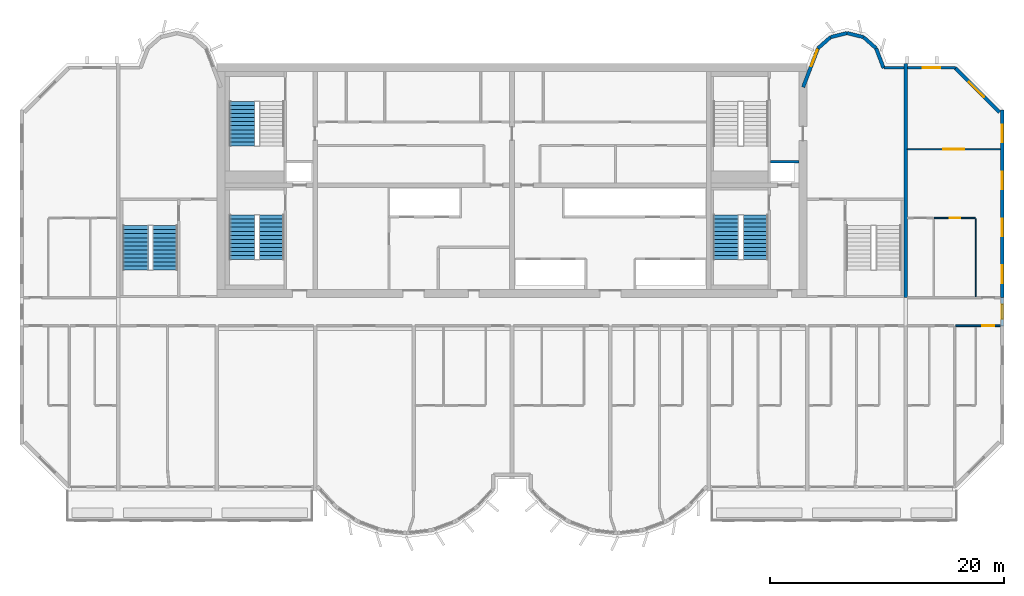
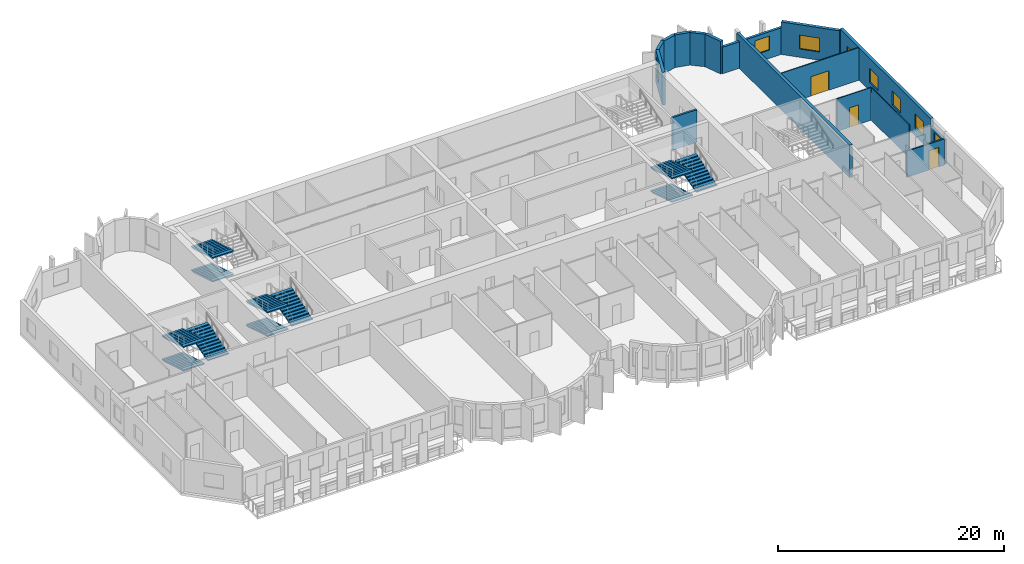
# One storey, part 9 of 13: 17 walls, 11 stair flights, 8 windows, 3 doors, 11 openings, 4 elements without a shape of their own.
"""IFC4 building model written with IfcOpenShell, lengths in metres."""

from ifc_helpers import new_model, si_unit, direction, frame, frame_2d, origin, place, context, subcontext, project, spatial, polyline, rectangle, outline, extrude, source, transform, mapped, material, layer, layer_set, type_object, element, fill, aggregate, save


model = new_model("IFC4")

# Units and contexts
model_context = context("Model", 3, precision=1e-05, world=origin(), true_north=direction((0.0, 1.0)))
body_context = subcontext(model_context, "Body", "Model", "MODEL_VIEW")
ifc_project = project(units=[si_unit("LENGTHUNIT", "METRE"), si_unit("AREAUNIT", "SQUARE_METRE"), si_unit("VOLUMEUNIT", "CUBIC_METRE"), si_unit("PLANEANGLEUNIT", "RADIAN"), si_unit("MASSUNIT", "GRAM", prefix="KILO")], contexts=[model_context])

# Site, building, storey
site_placement = place(None, origin())
site = spatial("IfcSite", under=ifc_project, at=site_placement, CompositionType="ELEMENT")
building_placement = place(site_placement, origin())
building = spatial("IfcBuilding", under=site, at=building_placement, Name="Vanashikhar Sky Hotel", CompositionType="ELEMENT")
storey_placement = place(building_placement, frame((0.0, 0.0, 197.199951171875)))
storey = spatial("IfcBuildingStorey", under=building, at=storey_placement, Name="L48", CompositionType="ELEMENT", Elevation=197.199951171875)

# Wall, openings, windows
ifc_material_1 = material(Name="Concrete M60", Category="concrete")
ifc_layer_1 = layer(ifc_material_1, 0.300048828125)
ifc_layer_set_1 = layer_set([ifc_layer_1], Name="RC shear wall 300 Concrete M60")
wall_type_1 = type_object("IfcWallType", Name="RC shear wall 300 Concrete M60", PredefinedType="SHEAR", material=ifc_layer_set_1)
shared_shape_1 = source(origin(), body_context, "Body", "SweptSolid", [
    extrude(rectangle(XDim=16.0, YDim=0.300048828125, at=frame_2d((8.0, 0.0))), origin(), (0.0, 0.0, 1.0), 3.52001953125),
])
wall_1_placement = place(storey_placement, frame((92.25, 22.0, 0.0), z_axis=(0.0, 0.0, 1.0), x_axis=(0.0, 1.0, 0.0)))
wall_1 = element("IfcWall", 1, at=wall_1_placement, inside=storey, type_object=wall_type_1, Name="CW-L48-XW12-2", PredefinedType="SHEAR", context=body_context, shape_type="MappedRepresentation", body=[
    mapped(shared_shape_1, transform((0.0, 0.0, 0.0), scale=1.0)),
])
shared_shape_2 = source(origin(), body_context, "Body", "SweptSolid", [
    extrude(rectangle(XDim=1.5, YDim=1.5, at=frame_2d((0.75, 0.75))), frame((0.0, 0.16015625, 0.0), z_axis=(0.0, -1.0, 0.0), x_axis=(1.0, 0.0, 0.0)), (0.0, 0.0, 1.0), 0.320068359375),
])
opening_1_placement = place(wall_1_placement, frame((1.25, 0.0, 0.89990234375)))
opening_1 = element("IfcOpeningElement", 2, at=opening_1_placement, cuts=wall_1, Name="Opening WN-1", PredefinedType="OPENING", context=body_context, shape_type="MappedRepresentation", body=[
    mapped(shared_shape_2, transform((0.0, 0.0, 0.0), scale=1.0)),
])
opening_2_placement = place(wall_1_placement, frame((5.25, 0.0, 0.89990234375)))
opening_2 = element("IfcOpeningElement", 3, at=opening_2_placement, cuts=wall_1, Name="Opening WN-1", PredefinedType="OPENING", context=body_context, shape_type="MappedRepresentation", body=[
    mapped(shared_shape_2, transform((0.0, 0.0, 0.0), scale=1.0)),
])
opening_3_placement = place(wall_1_placement, frame((9.25, 0.0, 0.89990234375)))
opening_3 = element("IfcOpeningElement", 4, at=opening_3_placement, cuts=wall_1, Name="Opening WN-1", PredefinedType="OPENING", context=body_context, shape_type="MappedRepresentation", body=[
    mapped(shared_shape_2, transform((0.0, 0.0, 0.0), scale=1.0)),
])
opening_4_placement = place(wall_1_placement, frame((13.25, 0.0, 0.89990234375)))
opening_4 = element("IfcOpeningElement", 5, at=opening_4_placement, cuts=wall_1, Name="Opening WN-1", PredefinedType="OPENING", context=body_context, shape_type="MappedRepresentation", body=[
    mapped(shared_shape_2, transform((0.0, 0.0, 0.0), scale=1.0)),
])
ifc_material_2 = material(Name="Glass", Category="glass")
window_type_1 = type_object("IfcWindowType", Name="Window 1500 x 1500", PartitioningType="SINGLE_PANEL", PredefinedType="WINDOW", material=ifc_material_2)
shared_shape_3 = source(origin(), body_context, "Body", "SweptSolid", [
    extrude(rectangle(XDim=1.5, YDim=1.5, at=frame_2d((0.75, 0.75))), frame((0.0, 0.030029296875, 0.0), z_axis=(0.0, -1.0, 0.0), x_axis=(1.0, 0.0, 0.0)), (0.0, 0.0, 1.0), 0.06005859375),
])
window_1_placement = place(opening_1_placement, origin())
window_1 = element("IfcWindow", 6, at=window_1_placement, inside=storey, type_object=window_type_1, Name="Window WN-1", OverallHeight=1.5, OverallWidth=1.5, PartitioningType="SINGLE_PANEL", PredefinedType="WINDOW", context=body_context, shape_type="MappedRepresentation", body=[
    mapped(shared_shape_3, transform((0.0, 0.0, 0.0), scale=1.0)),
])
fill(opening_1, window_1)
window_2_placement = place(opening_2_placement, origin())
window_2 = element("IfcWindow", 7, at=window_2_placement, inside=storey, type_object=window_type_1, Name="Window WN-1", OverallHeight=1.5, OverallWidth=1.5, PartitioningType="SINGLE_PANEL", PredefinedType="WINDOW", context=body_context, shape_type="MappedRepresentation", body=[
    mapped(shared_shape_3, transform((0.0, 0.0, 0.0), scale=1.0)),
])
fill(opening_2, window_2)
window_3_placement = place(opening_3_placement, origin())
window_3 = element("IfcWindow", 8, at=window_3_placement, inside=storey, type_object=window_type_1, Name="Window WN-1", OverallHeight=1.5, OverallWidth=1.5, PartitioningType="SINGLE_PANEL", PredefinedType="WINDOW", context=body_context, shape_type="MappedRepresentation", body=[
    mapped(shared_shape_3, transform((0.0, 0.0, 0.0), scale=1.0)),
])
fill(opening_3, window_3)
window_4_placement = place(opening_4_placement, origin())
window_4 = element("IfcWindow", 9, at=window_4_placement, inside=storey, type_object=window_type_1, Name="Window WN-1", OverallHeight=1.5, OverallWidth=1.5, PartitioningType="SINGLE_PANEL", PredefinedType="WINDOW", context=body_context, shape_type="MappedRepresentation", body=[
    mapped(shared_shape_3, transform((0.0, 0.0, 0.0), scale=1.0)),
])
fill(opening_4, window_4)

# Wall
shared_shape_4 = source(origin(), body_context, "Body", "SweptSolid", [
    extrude(rectangle(XDim=20.0, YDim=0.300048828125, at=frame_2d((10.0, 0.0))), origin(), (0.0, 0.0, 1.0), 3.52001953125),
])
wall_2_placement = place(storey_placement, frame((84.0, 22.0, 0.0), z_axis=(0.0, 0.0, 1.0), x_axis=(0.0, 1.0, 0.0)))
element("IfcWall", 10, at=wall_2_placement, inside=storey, type_object=wall_type_1, Name="CW-L48-XW11-2", PredefinedType="SHEAR", context=body_context, shape_type="MappedRepresentation", body=[
    mapped(shared_shape_4, transform((0.0, 0.0, 0.0), scale=1.0)),
])

# Wall, opening, window
ifc_material_3 = material(Name="Concrete M50", Category="concrete")
ifc_layer_2 = layer(ifc_material_3, 0.300048828125)
ifc_layer_set_2 = layer_set([ifc_layer_2], Name="Lobe wall 300")
wall_type_2 = type_object("IfcWallType", Name="Lobe wall 300", PredefinedType="SOLIDWALL", material=ifc_layer_set_2)
shared_shape_5 = source(origin(), body_context, "Body", "SweptSolid", [
    extrude(rectangle(XDim=5.32568359375, YDim=0.300048828125, at=frame_2d((2.662841796875, 0.0))), origin(), (0.0, 0.0, 1.0), 3.52001953125),
])
wall_3_placement = place(storey_placement, frame((92.0, 37.834228515625, 0.0), z_axis=(0.0, 0.0, 1.0), x_axis=(-0.707083859269, 0.707129702361, 0.0)))
wall_3 = element("IfcWall", 11, at=wall_3_placement, inside=storey, type_object=wall_type_2, Name="Corner wall", PredefinedType="SOLIDWALL", context=body_context, shape_type="MappedRepresentation", body=[
    mapped(shared_shape_5, transform((0.0, 0.0, 0.0), scale=1.0)),
])
shared_shape_6 = source(origin(), body_context, "Body", "SweptSolid", [
    extrude(rectangle(XDim=1.800048828125, YDim=1.5, at=frame_2d((0.89990234375, 0.75))), frame((0.0, 0.16015625, 0.0), z_axis=(0.0, -1.0, 0.0), x_axis=(1.0, 0.0, 0.0)), (0.0, 0.0, 1.0), 0.320068359375),
])
opening_5_placement = place(wall_3_placement, frame((1.8359375, 0.0, 0.89990234375)))
opening_5 = element("IfcOpeningElement", 12, at=opening_5_placement, cuts=wall_3, Name="Opening WN-4", PredefinedType="OPENING", context=body_context, shape_type="MappedRepresentation", body=[
    mapped(shared_shape_6, transform((0.0, 0.0, 0.0), scale=1.0)),
])
window_type_2 = type_object("IfcWindowType", Name="Corner window 1800 x 1500", PartitioningType="SINGLE_PANEL", PredefinedType="WINDOW", material=ifc_material_2)
shared_shape_7 = source(origin(), body_context, "Body", "SweptSolid", [
    extrude(rectangle(XDim=1.800048828125, YDim=1.5, at=frame_2d((0.89990234375, 0.75))), frame((0.0, 0.030029296875, 0.0), z_axis=(0.0, -1.0, 0.0), x_axis=(1.0, 0.0, 0.0)), (0.0, 0.0, 1.0), 0.06005859375),
])
window_5_placement = place(opening_5_placement, origin())
window_5 = element("IfcWindow", 13, at=window_5_placement, inside=storey, type_object=window_type_2, Name="Window WN-4", OverallHeight=1.5, OverallWidth=1.800048828125, PartitioningType="SINGLE_PANEL", PredefinedType="WINDOW", context=body_context, shape_type="MappedRepresentation", body=[
    mapped(shared_shape_7, transform((0.0, 0.0, 0.0), scale=1.0)),
])
fill(opening_5, window_5)

shared_shape_8 = source(origin(), body_context, "Body", "SweptSolid", [
    extrude(rectangle(XDim=3.55908203125, YDim=0.300048828125, at=frame_2d((1.779541015625, 0.0))), origin(), (0.0, 0.0, 1.0), 3.52001953125),
])
wall_4_placement = place(storey_placement, frame((76.5234375, 43.2919921875, 0.0), z_axis=(0.0, 0.0, 1.0), x_axis=(-0.35779745313, -0.933799219604, 0.0)))
wall_4 = element("IfcWall", 14, at=wall_4_placement, inside=storey, type_object=wall_type_2, Name="Lobe wall", PredefinedType="SOLIDWALL", context=body_context, shape_type="MappedRepresentation", body=[
    mapped(shared_shape_8, transform((0.0, 0.0, 0.0), scale=1.0)),
])
shared_shape_9 = source(origin(), body_context, "Body", "SweptSolid", [
    extrude(rectangle(XDim=1.5, YDim=2.0, at=frame_2d((0.75, 1.0))), frame((0.0, 0.16015625, 0.0), z_axis=(0.0, -1.0, 0.0), x_axis=(1.0, 0.0, 0.0)), (0.0, 0.0, 1.0), 0.320068359375),
])
opening_6_placement = place(wall_4_placement, frame((0.156005859375, 0.0, 0.89990234375)))
opening_6 = element("IfcOpeningElement", 15, at=opening_6_placement, cuts=wall_4, Name="Opening WN-2", PredefinedType="OPENING", context=body_context, shape_type="MappedRepresentation", body=[
    mapped(shared_shape_9, transform((0.0, 0.0, 0.0), scale=1.0)),
])
window_type_3 = type_object("IfcWindowType", Name="Lobe window 1500 x 2000", PartitioningType="SINGLE_PANEL", PredefinedType="WINDOW", material=ifc_material_2)
shared_shape_10 = source(origin(), body_context, "Body", "SweptSolid", [
    extrude(rectangle(XDim=1.5, YDim=2.0, at=frame_2d((0.75, 1.0))), frame((0.0, 0.030029296875, 0.0), z_axis=(0.0, -1.0, 0.0), x_axis=(1.0, 0.0, 0.0)), (0.0, 0.0, 1.0), 0.06005859375),
])
window_6_placement = place(opening_6_placement, origin())
window_6 = element("IfcWindow", 16, at=window_6_placement, inside=storey, type_object=window_type_3, Name="Window WN-2", OverallHeight=2.0, OverallWidth=1.5, PartitioningType="SINGLE_PANEL", PredefinedType="WINDOW", context=body_context, shape_type="MappedRepresentation", body=[
    mapped(shared_shape_10, transform((0.0, 0.0, 0.0), scale=1.0)),
])
fill(opening_6, window_6)

# Walls
shared_shape_11 = source(origin(), body_context, "Body", "SweptSolid", [
    extrude(rectangle(XDim=1.438720703125, YDim=0.300048828125, at=frame_2d((0.71923828125, 0.0))), origin(), (0.0, 0.0, 1.0), 3.52001953125),
])
for number, where, z_axis, x_axis, name in (
    (17, (80.397216796875, 44.2451171875, 0.0), (0.0, 0.0, 1.0), (-0.971161932466, 0.238420848351, 0.0), "Lobe wall"),
    (18, (79.0, 44.588134765625, 0.0), (0.0, 0.0, 1.0), (-0.971161932466, -0.238420848351, 0.0), "Lobe wall"),
):
    element("IfcWall", number, at=place(storey_placement, frame(where, z_axis=z_axis, x_axis=x_axis)), inside=storey, type_object=wall_type_2, Name=name, PredefinedType="SOLIDWALL", context=body_context, shape_type="MappedRepresentation", body=[
        mapped(shared_shape_11, transform((0.0, 0.0, 0.0), scale=1.0)),
    ])
shared_shape_12 = source(origin(), body_context, "Body", "SweptSolid", [
    extrude(rectangle(XDim=1.43994140625, YDim=0.300048828125, at=frame_2d((0.719970703125, 0.0))), origin(), (0.0, 0.0, 1.0), 3.52001953125),
])
for number, where, z_axis, x_axis, name in (
    (19, (81.4765625, 43.2919921875, 0.0), (0.0, 0.0, 1.0), (-0.74957555648, 0.661918790432, 0.0), "Lobe wall"),
    (20, (77.602783203125, 44.2451171875, 0.0), (0.0, 0.0, 1.0), (-0.74957555648, -0.661918790432, 0.0), "Lobe wall"),
):
    element("IfcWall", number, at=place(storey_placement, frame(where, z_axis=z_axis, x_axis=x_axis)), inside=storey, type_object=wall_type_2, Name=name, PredefinedType="SOLIDWALL", context=body_context, shape_type="MappedRepresentation", body=[
        mapped(shared_shape_12, transform((0.0, 0.0, 0.0), scale=1.0)),
    ])
shared_shape_13 = source(origin(), body_context, "Body", "SweptSolid", [
    extrude(rectangle(XDim=1.81201171875, YDim=0.300048828125, at=frame_2d((0.906005859375, 0.0))), origin(), (0.0, 0.0, 1.0), 3.52001953125),
])
wall_5_placement = place(storey_placement, frame((82.125, 41.60009765625, 0.0), z_axis=(0.0, 0.0, 1.0), x_axis=(-0.357877270961, 0.93376863244, 0.0)))
element("IfcWall", 21, at=wall_5_placement, inside=storey, type_object=wall_type_2, Name="Lobe wall", PredefinedType="SOLIDWALL", context=body_context, shape_type="MappedRepresentation", body=[
    mapped(shared_shape_13, transform((0.0, 0.0, 0.0), scale=1.0)),
])

# Wall, opening, window
ifc_layer_3 = layer(ifc_material_3, 0.25)
ifc_layer_set_3 = layer_set([ifc_layer_3], Name="Rear and end board-marked wall 250")
wall_type_3 = type_object("IfcWallType", Name="Rear and end board-marked wall 250", PredefinedType="SOLIDWALL", material=ifc_layer_set_3)
shared_shape_14 = source(origin(), body_context, "Body", "SweptSolid", [
    extrude(rectangle(XDim=2.39990234375, YDim=0.25, at=frame_2d((1.199951171875, 0.0))), origin(), (0.0, 0.0, 1.0), 2.6201171875),
])
wall_6_placement = place(storey_placement, frame((92.25, 19.60009765625, 0.0), z_axis=(0.0, 0.0, 1.0), x_axis=(0.0, 1.0, 0.0)))
wall_6 = element("IfcWall", 22, at=wall_6_placement, inside=storey, type_object=wall_type_3, Name="End corridor infill wall", PredefinedType="SOLIDWALL", context=body_context, shape_type="MappedRepresentation", body=[
    mapped(shared_shape_14, transform((0.0, 0.0, 0.0), scale=1.0)),
])
shared_shape_15 = source(origin(), body_context, "Body", "SweptSolid", [
    extrude(rectangle(XDim=1.199951171875, YDim=1.5, at=frame_2d((0.60009765625, 0.75))), frame((0.0, 0.135009765625, 0.0), z_axis=(0.0, -1.0, 0.0), x_axis=(1.0, 0.0, 0.0)), (0.0, 0.0, 1.0), 0.27001953125),
])
opening_7_placement = place(wall_6_placement, frame((0.60009765625, 0.0, 0.89990234375)))
opening_7 = element("IfcOpeningElement", 23, at=opening_7_placement, cuts=wall_6, Name="Opening WN-3", PredefinedType="OPENING", context=body_context, shape_type="MappedRepresentation", body=[
    mapped(shared_shape_15, transform((0.0, 0.0, 0.0), scale=1.0)),
])
window_type_4 = type_object("IfcWindowType", Name="Corridor end window 1200 x 1500", PartitioningType="SINGLE_PANEL", PredefinedType="WINDOW", material=ifc_material_2)
shared_shape_16 = source(origin(), body_context, "Body", "SweptSolid", [
    extrude(rectangle(XDim=1.199951171875, YDim=1.5, at=frame_2d((0.60009765625, 0.75))), frame((0.0, 0.030029296875, 0.0), z_axis=(0.0, -1.0, 0.0), x_axis=(1.0, 0.0, 0.0)), (0.0, 0.0, 1.0), 0.06005859375),
])
window_7_placement = place(opening_7_placement, origin())
window_7 = element("IfcWindow", 24, at=window_7_placement, inside=storey, type_object=window_type_4, Name="Window WN-3", OverallHeight=1.5, OverallWidth=1.199951171875, PartitioningType="SINGLE_PANEL", PredefinedType="WINDOW", context=body_context, shape_type="MappedRepresentation", body=[
    mapped(shared_shape_16, transform((0.0, 0.0, 0.0), scale=1.0)),
])
fill(opening_7, window_7)

# Wall
shared_shape_17 = source(origin(), body_context, "Body", "SweptSolid", [
    extrude(rectangle(XDim=1.7080078125, YDim=0.25, at=frame_2d((0.85400390625, 0.0))), origin(), (0.0, 0.0, 1.0), 2.8701171875),
])
wall_7_placement = place(storey_placement, frame((83.85009765625, 41.625, 0.0), z_axis=(0.0, 0.0, 1.0), x_axis=(-1.0, 0.0, 0.0)))
element("IfcWall", 25, at=wall_7_placement, inside=storey, type_object=wall_type_3, Name="Rear board-marked wall", PredefinedType="SOLIDWALL", context=body_context, shape_type="MappedRepresentation", body=[
    mapped(shared_shape_17, transform((0.0, 0.0, 0.0), scale=1.0)),
])

# Wall, opening, window
shared_shape_18 = source(origin(), body_context, "Body", "SweptSolid", [
    extrude(rectangle(XDim=4.0947265625, YDim=0.25, at=frame_2d((2.04736328125, 0.0))), origin(), (0.0, 0.0, 1.0), 2.8701171875),
])
wall_8_placement = place(storey_placement, frame((88.24462890625, 41.625, 0.0), z_axis=(0.0, 0.0, 1.0), x_axis=(-1.0, 0.0, 0.0)))
wall_8 = element("IfcWall", 26, at=wall_8_placement, inside=storey, type_object=wall_type_3, Name="Rear board-marked wall", PredefinedType="SOLIDWALL", context=body_context, shape_type="MappedRepresentation", body=[
    mapped(shared_shape_18, transform((0.0, 0.0, 0.0), scale=1.0)),
])
shared_shape_19 = source(origin(), body_context, "Body", "SweptSolid", [
    extrude(rectangle(XDim=1.5, YDim=1.5, at=frame_2d((0.75, 0.75))), frame((0.0, 0.135009765625, 0.0), z_axis=(0.0, -1.0, 0.0), x_axis=(1.0, 0.0, 0.0)), (0.0, 0.0, 1.0), 0.27001953125),
])
opening_8_placement = place(wall_8_placement, frame((1.29736328125, 0.0, 0.89990234375)))
opening_8 = element("IfcOpeningElement", 27, at=opening_8_placement, cuts=wall_8, Name="Opening WN-1", PredefinedType="OPENING", context=body_context, shape_type="MappedRepresentation", body=[
    mapped(shared_shape_19, transform((0.0, 0.0, 0.0), scale=1.0)),
])
window_8_placement = place(opening_8_placement, origin())
window_8 = element("IfcWindow", 28, at=window_8_placement, inside=storey, type_object=window_type_1, Name="Window WN-1", OverallHeight=1.5, OverallWidth=1.5, PartitioningType="SINGLE_PANEL", PredefinedType="WINDOW", context=body_context, shape_type="MappedRepresentation", body=[
    mapped(shared_shape_3, transform((0.0, 0.0, 0.0), scale=1.0)),
])
fill(opening_8, window_8)

# Wall
ifc_material_4 = material(Name="Concrete M40", Category="concrete")
ifc_layer_4 = layer(ifc_material_4, 0.199951171875)
ifc_layer_set_4 = layer_set([ifc_layer_4], Name="Shaft wall 200")
wall_type_4 = type_object("IfcWallType", Name="Shaft wall 200", PredefinedType="SOLIDWALL", material=ifc_layer_set_4)
shared_shape_20 = source(origin(), body_context, "Body", "SweptSolid", [
    extrude(rectangle(XDim=2.449951171875, YDim=0.199951171875, at=frame_2d((1.22509765625, 0.0))), origin(), (0.0, 0.0, 1.0), 3.52001953125),
])
wall_9_placement = place(storey_placement, frame((72.449951171875, 33.60009765625, 0.0), z_axis=(0.0, 0.0, 1.0), x_axis=(1.0, 0.0, 0.0)))
element("IfcWall", 29, at=wall_9_placement, inside=storey, type_object=wall_type_4, Name="Shaft wall 200", PredefinedType="SOLIDWALL", context=body_context, shape_type="MappedRepresentation", body=[
    mapped(shared_shape_20, transform((0.0, 0.0, 0.0), scale=1.0)),
])

# Wall, opening, door
ifc_material_5 = material(Name="Gypsum plasterboard partition")
ifc_layer_5 = layer(ifc_material_5, 0.10009765625)
ifc_layer_set_5 = layer_set([ifc_layer_5], Name="Wet room partition 100")
wall_type_5 = type_object("IfcWallType", Name="Wet room partition 100", PredefinedType="PARTITIONING", material=ifc_layer_set_5)
shared_shape_21 = source(origin(), body_context, "Body", "SweptSolid", [
    extrude(rectangle(XDim=3.5, YDim=0.10009765625, at=frame_2d((1.75, 0.0))), origin(), (0.0, 0.0, 1.0), 3.52001953125),
])
wall_10_placement = place(storey_placement, frame((86.449951171875, 28.800048828125, 0.0), z_axis=(0.0, 0.0, 1.0), x_axis=(1.0, 0.0, 0.0)))
wall_10 = element("IfcWall", 30, at=wall_10_placement, inside=storey, type_object=wall_type_5, Name="W-L48-PW060", PredefinedType="PARTITIONING", context=body_context, shape_type="MappedRepresentation", body=[
    mapped(shared_shape_21, transform((0.0, 0.0, 0.0), scale=1.0)),
])
shared_shape_22 = source(origin(), body_context, "Body", "SweptSolid", [
    extrude(rectangle(XDim=0.89990234375, YDim=2.10009765625, at=frame_2d((0.449951171875, 1.050048828125))), frame((0.0, 0.06005859375, 0.0), z_axis=(0.0, -1.0, 0.0), x_axis=(1.0, 0.0, 0.0)), (0.0, 0.0, 1.0), 0.1201171875),
])
opening_9_placement = place(wall_10_placement, frame((1.300048828125, 0.0, 0.0)))
opening_9 = element("IfcOpeningElement", 31, at=opening_9_placement, cuts=wall_10, Name="Opening D-02", PredefinedType="OPENING", context=body_context, shape_type="MappedRepresentation", body=[
    mapped(shared_shape_22, transform((0.0, 0.0, 0.0), scale=1.0)),
])
ifc_material_6 = material(Name="Timber door", Category="wood")
door_type_1 = type_object("IfcDoorType", Name="Internal door 900", OperationType="NOTDEFINED", PredefinedType="DOOR", material=ifc_material_6)
shared_shape_23 = source(origin(), body_context, "Body", "SweptSolid", [
    extrude(rectangle(XDim=0.89990234375, YDim=2.10009765625, at=frame_2d((0.449951171875, 1.050048828125))), frame((0.0, 0.02490234375, 0.0), z_axis=(0.0, -1.0, 0.0), x_axis=(1.0, 0.0, 0.0)), (0.0, 0.0, 1.0), 0.050048828125),
])
door_1_placement = place(opening_9_placement, origin())
door_1 = element("IfcDoor", 32, at=door_1_placement, inside=storey, type_object=door_type_1, Name="D-L48-034", OperationType="SINGLE_SWING_RIGHT", OverallHeight=2.10009765625, OverallWidth=0.89990234375, PredefinedType="DOOR", context=body_context, shape_type="MappedRepresentation", body=[
    mapped(shared_shape_23, transform((0.0, 0.0, 0.0), scale=1.0)),
])
fill(opening_9, door_1)

# Wall
shared_shape_24 = source(origin(), body_context, "Body", "SweptSolid", [
    extrude(rectangle(XDim=6.650146484375, YDim=0.10009765625, at=frame_2d((3.3251953125, 0.0))), origin(), (0.0, 0.0, 1.0), 3.52001953125),
])
wall_11_placement = place(storey_placement, frame((90.0, 22.074951171875, 0.0), z_axis=(0.0, 0.0, 1.0), x_axis=(0.0, 1.0, 0.0)))
element("IfcWall", 33, at=wall_11_placement, inside=storey, type_object=wall_type_5, Name="W-L48-PW058", PredefinedType="PARTITIONING", context=body_context, shape_type="MappedRepresentation", body=[
    mapped(shared_shape_24, transform((0.0, 0.0, 0.0), scale=1.0)),
])

# Wall, opening, door
ifc_layer_6 = layer(ifc_material_5, 0.14990234375)
ifc_layer_set_6 = layer_set([ifc_layer_6], Name="Corridor and demising partition 150")
wall_type_6 = type_object("IfcWallType", Name="Corridor and demising partition 150", PredefinedType="PARTITIONING", material=ifc_layer_set_6)
shared_shape_25 = source(origin(), body_context, "Body", "SweptSolid", [
    extrude(rectangle(XDim=3.8251953125, YDim=0.14990234375, at=frame_2d((1.91259765625, 0.0))), origin(), (0.0, 0.0, 1.0), 2.820068359375),
])
wall_12_placement = place(storey_placement, frame((88.27490234375, 19.60009765625, 0.0), z_axis=(0.0, 0.0, 1.0), x_axis=(1.0, 0.0, 0.0)))
wall_12 = element("IfcWall", 34, at=wall_12_placement, inside=storey, type_object=wall_type_6, Name="W-L48-PW049", PredefinedType="PARTITIONING", context=body_context, shape_type="MappedRepresentation", body=[
    mapped(shared_shape_25, transform((0.0, 0.0, 0.0), scale=1.0)),
])
shared_shape_26 = source(origin(), body_context, "Body", "SweptSolid", [
    extrude(rectangle(XDim=1.0, YDim=2.10009765625, at=frame_2d((0.5, 1.050048828125))), frame((0.0, 0.0849609375, 0.0), z_axis=(0.0, -1.0, 0.0), x_axis=(1.0, 0.0, 0.0)), (0.0, 0.0, 1.0), 0.169921875),
])
opening_10_placement = place(wall_12_placement, frame((2.27490234375, 0.0, 0.0)))
opening_10 = element("IfcOpeningElement", 35, at=opening_10_placement, cuts=wall_12, Name="Opening D-01", PredefinedType="OPENING", context=body_context, shape_type="MappedRepresentation", body=[
    mapped(shared_shape_26, transform((0.0, 0.0, 0.0), scale=1.0)),
])
ifc_material_7 = material(Name="Timber fire door", Category="wood")
door_type_2 = type_object("IfcDoorType", Name="Guest entry door 1000 FD30S", OperationType="NOTDEFINED", PredefinedType="DOOR", material=ifc_material_7)
shared_shape_27 = source(origin(), body_context, "Body", "SweptSolid", [
    extrude(rectangle(XDim=1.0, YDim=2.10009765625, at=frame_2d((0.5, 1.050048828125))), frame((0.0, 0.02490234375, 0.0), z_axis=(0.0, -1.0, 0.0), x_axis=(1.0, 0.0, 0.0)), (0.0, 0.0, 1.0), 0.050048828125),
])
door_2_placement = place(opening_10_placement, origin())
door_2 = element("IfcDoor", 36, at=door_2_placement, inside=storey, type_object=door_type_2, Name="D-L48-030", OperationType="SINGLE_SWING_RIGHT", OverallHeight=2.10009765625, OverallWidth=1.0, PredefinedType="DOOR", context=body_context, shape_type="MappedRepresentation", body=[
    mapped(shared_shape_27, transform((0.0, 0.0, 0.0), scale=1.0)),
])
fill(opening_10, door_2)

shared_shape_28 = source(origin(), body_context, "Body", "SweptSolid", [
    extrude(rectangle(XDim=7.9501953125, YDim=0.10009765625, at=frame_2d((3.97509765625, 0.0))), origin(), (0.0, 0.0, 1.0), 3.52001953125),
])
wall_13_placement = place(storey_placement, frame((84.14990234375, 34.672119140625, 0.0), z_axis=(0.0, 0.0, 1.0), x_axis=(1.0, 0.0, 0.0)))
wall_13 = element("IfcWall", 37, at=wall_13_placement, inside=storey, type_object=wall_type_5, Name="W-L48-PW062", PredefinedType="PARTITIONING", context=body_context, shape_type="MappedRepresentation", body=[
    mapped(shared_shape_28, transform((0.0, 0.0, 0.0), scale=1.0)),
])
shared_shape_29 = source(origin(), body_context, "Body", "SweptSolid", [
    extrude(rectangle(XDim=1.800048828125, YDim=2.10009765625, at=frame_2d((0.89990234375, 1.050048828125))), frame((0.0, 0.06005859375, 0.0), z_axis=(0.0, -1.0, 0.0), x_axis=(1.0, 0.0, 0.0)), (0.0, 0.0, 1.0), 0.1201171875),
])
opening_11_placement = place(wall_13_placement, frame((3.074951171875, 0.0, 0.0)))
opening_11 = element("IfcOpeningElement", 38, at=opening_11_placement, cuts=wall_13, Name="Opening D-08", PredefinedType="OPENING", context=body_context, shape_type="MappedRepresentation", body=[
    mapped(shared_shape_29, transform((0.0, 0.0, 0.0), scale=1.0)),
])
door_type_3 = type_object("IfcDoorType", Name="Double leaf door 1800", OperationType="NOTDEFINED", PredefinedType="DOOR", material=ifc_material_6)
shared_shape_30 = source(origin(), body_context, "Body", "SweptSolid", [
    extrude(rectangle(XDim=1.800048828125, YDim=2.10009765625, at=frame_2d((0.89990234375, 1.050048828125))), frame((0.0, 0.02490234375, 0.0), z_axis=(0.0, -1.0, 0.0), x_axis=(1.0, 0.0, 0.0)), (0.0, 0.0, 1.0), 0.050048828125),
])
door_3_placement = place(opening_11_placement, origin())
door_3 = element("IfcDoor", 39, at=door_3_placement, inside=storey, type_object=door_type_3, Name="D-L48-036", OperationType="DOUBLE_DOOR_SINGLE_SWING", OverallHeight=2.10009765625, OverallWidth=1.800048828125, PredefinedType="DOOR", context=body_context, shape_type="MappedRepresentation", body=[
    mapped(shared_shape_30, transform((0.0, 0.0, 0.0), scale=1.0)),
])
fill(opening_11, door_3)

# Stair, stair flights
stair_type = type_object("IfcStairType", Name="Exit stair 2150", PredefinedType="DOUBLE_RETURN_STAIR", material=ifc_material_4)
stair_1_placement = place(storey_placement, origin())
stair_1 = element("IfcStair", 40, at=stair_1_placement, inside=storey, type_object=stair_type, Name="L48 Exit stair 1", PredefinedType="DOUBLE_RETURN_STAIR")
stair_flight_type = type_object("IfcStairFlightType", Name="Stair flight 2150", PredefinedType="STRAIGHT", material=ifc_material_4)
shared_shape_31 = source(origin(), body_context, "Body", "SweptSolid", [
    extrude(outline(polyline([(0.0, 0.0), (0.0, 0.10546875), (0.345458984375, 0.10546875), (0.345458984375, 0.211181640625), (0.69091796875, 0.211181640625), (0.69091796875, 0.316650390625), (1.036376953125, 0.316650390625), (1.036376953125, 0.422119140625), (1.3818359375, 0.422119140625), (1.3818359375, 0.52783203125), (1.727294921875, 0.52783203125), (1.727294921875, 0.63330078125), (2.07275390625, 0.63330078125), (2.07275390625, 0.73876953125), (2.418212890625, 0.73876953125), (2.418212890625, 0.844482421875), (2.763671875, 0.844482421875), (2.763671875, 0.949951171875), (3.109130859375, 0.949951171875), (3.109130859375, 1.0556640625), (3.45458984375, 1.0556640625), (3.45458984375, 1.1611328125), (3.800048828125, 1.1611328125), (3.800048828125, 1.2666015625), (3.800048828125, 1.035400390625), (0.4111328125, 0.0), (0.0, 0.0)])), frame((0.0, 1.074951171875, 0.0), z_axis=(0.0, -1.0, 0.0), x_axis=(1.0, 0.0, 0.0)), (0.0, 0.0, 1.0), 2.14990234375),
])
stair_flight_1_placement = place(storey_placement, frame((27.375, 29.050048828125, 0.0), z_axis=(0.0, 0.0, 1.0), x_axis=(0.0, -1.0, 0.0)))
stair_flight_1 = element("IfcStairFlight", 41, at=stair_flight_1_placement, type_object=stair_flight_type, Name="ST-C1 flight 1", NumberOfRisers=12, NumberOfTreads=11, PredefinedType="STRAIGHT", RiserHeight=0.105555556, TreadLength=0.345454545, context=body_context, shape_type="MappedRepresentation", body=[
    mapped(shared_shape_31, transform((0.0, 0.0, 0.0), scale=1.0)),
])
stair_flight_2_placement = place(storey_placement, frame((29.875, 25.25, 1.2666015625), z_axis=(0.0, 0.0, 1.0), x_axis=(0.0, 1.0, 0.0)))
stair_flight_2 = element("IfcStairFlight", 42, at=stair_flight_2_placement, type_object=stair_flight_type, Name="ST-C1 flight 2", NumberOfRisers=12, NumberOfTreads=11, PredefinedType="STRAIGHT", RiserHeight=0.105555556, TreadLength=0.345454545, context=body_context, shape_type="MappedRepresentation", body=[
    mapped(shared_shape_31, transform((0.0, 0.0, 0.0), scale=1.0)),
])
stair_flight_3_placement = place(storey_placement, frame((27.375, 29.050048828125, 2.533447265625), z_axis=(0.0, 0.0, 1.0), x_axis=(0.0, -1.0, 0.0)))
stair_flight_3 = element("IfcStairFlight", 43, at=stair_flight_3_placement, type_object=stair_flight_type, Name="ST-C1 flight 3", NumberOfRisers=12, NumberOfTreads=11, PredefinedType="STRAIGHT", RiserHeight=0.105555556, TreadLength=0.345454545, context=body_context, shape_type="MappedRepresentation", body=[
    mapped(shared_shape_31, transform((0.0, 0.0, 0.0), scale=1.0)),
])
aggregate(stair_1, [stair_flight_1, stair_flight_2, stair_flight_3])

stair_2_placement = place(storey_placement, origin())
stair_2 = element("IfcStair", 44, at=stair_2_placement, inside=storey, type_object=stair_type, Name="L48 Exit stair 2", PredefinedType="DOUBLE_RETURN_STAIR")
stair_flight_4_placement = place(storey_placement, frame((68.675048828125, 29.050048828125, 0.0), z_axis=(0.0, 0.0, 1.0), x_axis=(0.0, -1.0, 0.0)))
stair_flight_4 = element("IfcStairFlight", 45, at=stair_flight_4_placement, type_object=stair_flight_type, Name="ST-C2 flight 1", NumberOfRisers=12, NumberOfTreads=11, PredefinedType="STRAIGHT", RiserHeight=0.105555556, TreadLength=0.345454545, context=body_context, shape_type="MappedRepresentation", body=[
    mapped(shared_shape_31, transform((0.0, 0.0, 0.0), scale=1.0)),
])
stair_flight_5_placement = place(storey_placement, frame((71.175048828125, 25.25, 1.2666015625), z_axis=(0.0, 0.0, 1.0), x_axis=(0.0, 1.0, 0.0)))
stair_flight_5 = element("IfcStairFlight", 46, at=stair_flight_5_placement, type_object=stair_flight_type, Name="ST-C2 flight 2", NumberOfRisers=12, NumberOfTreads=11, PredefinedType="STRAIGHT", RiserHeight=0.105555556, TreadLength=0.345454545, context=body_context, shape_type="MappedRepresentation", body=[
    mapped(shared_shape_31, transform((0.0, 0.0, 0.0), scale=1.0)),
])
stair_flight_6_placement = place(storey_placement, frame((68.675048828125, 29.050048828125, 2.533447265625), z_axis=(0.0, 0.0, 1.0), x_axis=(0.0, -1.0, 0.0)))
stair_flight_6 = element("IfcStairFlight", 47, at=stair_flight_6_placement, type_object=stair_flight_type, Name="ST-C2 flight 3", NumberOfRisers=12, NumberOfTreads=11, PredefinedType="STRAIGHT", RiserHeight=0.105555556, TreadLength=0.345454545, context=body_context, shape_type="MappedRepresentation", body=[
    mapped(shared_shape_31, transform((0.0, 0.0, 0.0), scale=1.0)),
])
aggregate(stair_2, [stair_flight_4, stair_flight_5, stair_flight_6])

stair_3_placement = place(storey_placement, origin())
stair_3 = element("IfcStair", 48, at=stair_3_placement, inside=storey, type_object=stair_type, Name="L48 Exit stair 3", PredefinedType="DOUBLE_RETURN_STAIR")
stair_flight_7_placement = place(storey_placement, frame((18.27490234375, 28.14990234375, 0.0), z_axis=(0.0, 0.0, 1.0), x_axis=(0.0, -1.0, 0.0)))
stair_flight_7 = element("IfcStairFlight", 49, at=stair_flight_7_placement, type_object=stair_flight_type, Name="ST-W flight 1", NumberOfRisers=12, NumberOfTreads=11, PredefinedType="STRAIGHT", RiserHeight=0.105555556, TreadLength=0.345454545, context=body_context, shape_type="MappedRepresentation", body=[
    mapped(shared_shape_31, transform((0.0, 0.0, 0.0), scale=1.0)),
])
stair_flight_8_placement = place(storey_placement, frame((20.77490234375, 24.35009765625, 1.2666015625), z_axis=(0.0, 0.0, 1.0), x_axis=(0.0, 1.0, 0.0)))
stair_flight_8 = element("IfcStairFlight", 50, at=stair_flight_8_placement, type_object=stair_flight_type, Name="ST-W flight 2", NumberOfRisers=12, NumberOfTreads=11, PredefinedType="STRAIGHT", RiserHeight=0.105555556, TreadLength=0.345454545, context=body_context, shape_type="MappedRepresentation", body=[
    mapped(shared_shape_31, transform((0.0, 0.0, 0.0), scale=1.0)),
])
stair_flight_9_placement = place(storey_placement, frame((18.27490234375, 28.14990234375, 2.533447265625), z_axis=(0.0, 0.0, 1.0), x_axis=(0.0, -1.0, 0.0)))
stair_flight_9 = element("IfcStairFlight", 51, at=stair_flight_9_placement, type_object=stair_flight_type, Name="ST-W flight 3", NumberOfRisers=12, NumberOfTreads=11, PredefinedType="STRAIGHT", RiserHeight=0.105555556, TreadLength=0.345454545, context=body_context, shape_type="MappedRepresentation", body=[
    mapped(shared_shape_31, transform((0.0, 0.0, 0.0), scale=1.0)),
])
aggregate(stair_3, [stair_flight_7, stair_flight_8, stair_flight_9])

stair_4_placement = place(storey_placement, origin())
stair_4 = element("IfcStair", 52, at=stair_4_placement, inside=storey, type_object=stair_type, Name="L48 Exit stair 5", PredefinedType="DOUBLE_RETURN_STAIR")
stair_flight_10_placement = place(storey_placement, frame((27.375, 38.75, 0.0), z_axis=(0.0, 0.0, 1.0), x_axis=(0.0, -1.0, 0.0)))
stair_flight_10 = element("IfcStairFlight", 53, at=stair_flight_10_placement, type_object=stair_flight_type, Name="ST-C3 flight 1", NumberOfRisers=12, NumberOfTreads=11, PredefinedType="STRAIGHT", RiserHeight=0.105555556, TreadLength=0.345454545, context=body_context, shape_type="MappedRepresentation", body=[
    mapped(shared_shape_31, transform((0.0, 0.0, 0.0), scale=1.0)),
])
stair_flight_11_placement = place(storey_placement, frame((27.375, 38.75, 2.533447265625), z_axis=(0.0, 0.0, 1.0), x_axis=(0.0, -1.0, 0.0)))
stair_flight_11 = element("IfcStairFlight", 54, at=stair_flight_11_placement, type_object=stair_flight_type, Name="ST-C3 flight 3", NumberOfRisers=12, NumberOfTreads=11, PredefinedType="STRAIGHT", RiserHeight=0.105555556, TreadLength=0.345454545, context=body_context, shape_type="MappedRepresentation", body=[
    mapped(shared_shape_31, transform((0.0, 0.0, 0.0), scale=1.0)),
])
aggregate(stair_4, [stair_flight_10, stair_flight_11])

save(model, "model.ifc")
